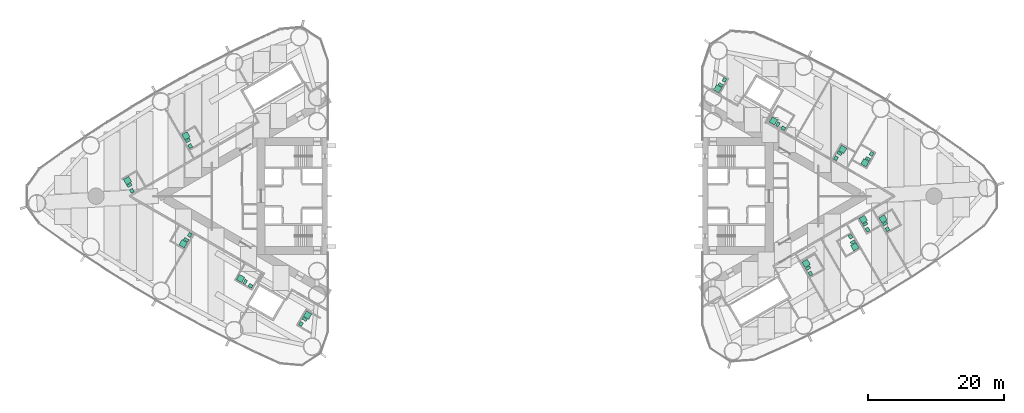
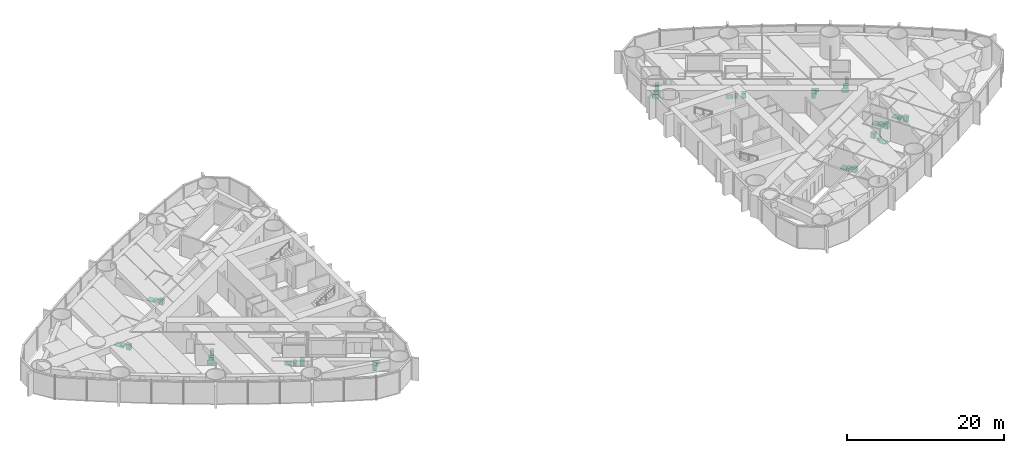
# One storey, part 19 of 19: 17 sanitary terminals.
"""IFC4 building model written with IfcOpenShell, lengths in metres."""

from ifc_helpers import new_model, si_unit, direction, frame, origin, origin_2d, place, context, subcontext, project, spatial, rectangle, extrude, material, type_object, element, save


model = new_model("IFC4")

# Units and contexts
model_context = context("Model", 3, precision=1e-05, world=origin(), true_north=direction((0.0, 1.0)))
body_context = subcontext(model_context, "Body", "Model", "MODEL_VIEW")
ifc_project = project(units=[si_unit("LENGTHUNIT", "METRE"), si_unit("AREAUNIT", "SQUARE_METRE"), si_unit("VOLUMEUNIT", "CUBIC_METRE"), si_unit("PLANEANGLEUNIT", "RADIAN"), si_unit("MASSUNIT", "GRAM", prefix="KILO")], contexts=[model_context])

# Site, building, storey
site_placement = place(None, origin())
site = spatial("IfcSite", under=ifc_project, at=site_placement, CompositionType="ELEMENT")
building_placement = place(site_placement, origin())
building = spatial("IfcBuilding", under=site, at=building_placement, Name="Lancet Gate Hotel", CompositionType="ELEMENT")
storey_placement = place(building_placement, frame((0.0, 0.0, 90.60009765625)))
storey = spatial("IfcBuildingStorey", under=building, at=storey_placement, Name="L23", CompositionType="ELEMENT", Elevation=90.60009765625)

# Sanitary terminals
ifc_material_1 = material(Name="Vitreous china sanitary ware")
sanitary_terminal_type_1 = type_object("IfcSanitaryTerminalType", Name="En-suite sanitary set (shower, WC, basin)", PredefinedType="USERDEFINED", material=ifc_material_1)
sanitary_terminal_1_placement = place(storey_placement, frame((-56.8798828125, 2.279541015625, 0.0), z_axis=(0.0, 0.0, 1.0), x_axis=(1.0, 0.0, 0.0)))
element("IfcSanitaryTerminal", 1, at=sanitary_terminal_1_placement, inside=storey, type_object=sanitary_terminal_type_1, Name="En-suite sanitary set (shower, WC, basin) 2303", ObjectType="EN-SUITE SANITARY SET", PredefinedType="USERDEFINED", context=body_context, shape_type="SweptSolid", body=[
    extrude(rectangle(XDim=0.89990234375, YDim=0.89990234375, at=origin_2d()), frame((0.0, 0.0, 0.0), z_axis=(0.0, 0.0, 1.0), x_axis=(-0.5, 0.866025403784, 0.0)), (0.0, 0.0, 1.0), 0.050048828125),
    extrude(rectangle(XDim=0.39990234375, YDim=0.699951171875, at=origin_2d()), frame((0.278564453125, -0.68212890625, 0.0), z_axis=(0.0, 0.0, 1.0), x_axis=(-0.5, 0.866025403784, 0.0)), (0.0, 0.0, 1.0), 0.39990234375),
    extrude(rectangle(XDim=0.60009765625, YDim=0.5, at=origin_2d()), frame((0.6318359375, -1.494140625, 0.0), z_axis=(0.0, 0.0, 1.0), x_axis=(-0.5, 0.866025403784, 0.0)), (0.0, 0.0, 1.0), 0.85009765625),
])
sanitary_terminal_2_placement = place(storey_placement, frame((-48.724853515625, -6.988037109375, 0.0), z_axis=(0.0, 0.0, 1.0), x_axis=(1.0, 0.0, 0.0)))
element("IfcSanitaryTerminal", 2, at=sanitary_terminal_2_placement, inside=storey, type_object=sanitary_terminal_type_1, Name="En-suite sanitary set (shower, WC, basin) 2305", ObjectType="EN-SUITE SANITARY SET", PredefinedType="USERDEFINED", context=body_context, shape_type="SweptSolid", body=[
    extrude(rectangle(XDim=0.89990234375, YDim=0.89990234375, at=origin_2d()), frame((0.0, 0.0, 0.0), z_axis=(0.0, 0.0, 1.0), x_axis=(-0.5, -0.866025403784, 0.0)), (0.0, 0.0, 1.0), 0.050048828125),
    extrude(rectangle(XDim=0.39990234375, YDim=0.699951171875, at=origin_2d()), frame((0.45166015625, 0.582275390625, 0.0), z_axis=(0.0, 0.0, 1.0), x_axis=(-0.5, -0.866025403784, 0.0)), (0.0, 0.0, 1.0), 0.39990234375),
    extrude(rectangle(XDim=0.60009765625, YDim=0.5, at=origin_2d()), frame((0.978271484375, 1.29443359375, 0.0), z_axis=(0.0, 0.0, 1.0), x_axis=(-0.5, -0.866025403784, 0.0)), (0.0, 0.0, 1.0), 0.85009765625),
])
sanitary_terminal_3_placement = place(storey_placement, frame((-48.3076171875, 8.845458984375, 0.0), z_axis=(0.0, 0.0, 1.0), x_axis=(1.0, 0.0, 0.0)))
element("IfcSanitaryTerminal", 3, at=sanitary_terminal_3_placement, inside=storey, type_object=sanitary_terminal_type_1, Name="En-suite sanitary set (shower, WC, basin) 2302", ObjectType="EN-SUITE SANITARY SET", PredefinedType="USERDEFINED", context=body_context, shape_type="SweptSolid", body=[
    extrude(rectangle(XDim=0.89990234375, YDim=0.89990234375, at=origin_2d()), frame((0.0, 0.0, 0.0), z_axis=(0.0, 0.0, 1.0), x_axis=(-0.5, 0.866025403784, 0.0)), (0.0, 0.0, 1.0), 0.050048828125),
    extrude(rectangle(XDim=0.39990234375, YDim=0.699951171875, at=origin_2d()), frame((0.2783203125, -0.682373046875, 0.0), z_axis=(0.0, 0.0, 1.0), x_axis=(-0.5, 0.866025403784, 0.0)), (0.0, 0.0, 1.0), 0.39990234375),
    extrude(rectangle(XDim=0.60009765625, YDim=0.5, at=origin_2d()), frame((0.6318359375, -1.494384765625, 0.0), z_axis=(0.0, 0.0, 1.0), x_axis=(-0.5, 0.866025403784, 0.0)), (0.0, 0.0, 1.0), 0.85009765625),
])
sanitary_terminal_4_placement = place(storey_placement, frame((-30.45166015625, -17.468505859375, 0.0), z_axis=(0.0, 0.0, 1.0), x_axis=(1.0, 0.0, 0.0)))
element("IfcSanitaryTerminal", 4, at=sanitary_terminal_4_placement, inside=storey, type_object=sanitary_terminal_type_1, Name="En-suite sanitary set (shower, WC, basin) 2308", ObjectType="EN-SUITE SANITARY SET", PredefinedType="USERDEFINED", context=body_context, shape_type="SweptSolid", body=[
    extrude(rectangle(XDim=0.89990234375, YDim=0.89990234375, at=origin_2d()), frame((0.0, 0.0, 0.0), z_axis=(0.0, 0.0, 1.0), x_axis=(0.5, 0.866025403784, 0.0)), (0.0, 0.0, 1.0), 0.050048828125),
    extrude(rectangle(XDim=0.39990234375, YDim=0.699951171875, at=origin_2d()), frame((-0.45166015625, -0.582275390625, 0.0), z_axis=(0.0, 0.0, 1.0), x_axis=(0.5, 0.866025403784, 0.0)), (0.0, 0.0, 1.0), 0.39990234375),
    extrude(rectangle(XDim=0.60009765625, YDim=0.5, at=origin_2d()), frame((-0.978271484375, -1.29443359375, 0.0), z_axis=(0.0, 0.0, 1.0), x_axis=(0.5, 0.866025403784, 0.0)), (0.0, 0.0, 1.0), 0.85009765625),
])
sanitary_terminal_5_placement = place(storey_placement, frame((42.7333984375, -9.877685546875, 0.0), z_axis=(0.0, 0.0, 1.0), x_axis=(1.0, 0.0, 0.0)))
element("IfcSanitaryTerminal", 5, at=sanitary_terminal_5_placement, inside=storey, type_object=sanitary_terminal_type_1, Name="En-suite sanitary set (shower, WC, basin) 2354", ObjectType="EN-SUITE SANITARY SET", PredefinedType="USERDEFINED", context=body_context, shape_type="SweptSolid", body=[
    extrude(rectangle(XDim=0.89990234375, YDim=0.89990234375, at=origin_2d()), frame((0.0, 0.0, 0.0), z_axis=(0.0, 0.0, 1.0), x_axis=(-0.5, 0.866025403784, 0.0)), (0.0, 0.0, 1.0), 0.050048828125),
    extrude(rectangle(XDim=0.39990234375, YDim=0.699951171875, at=origin_2d()), frame((0.2783203125, -0.682373046875, 0.0), z_axis=(0.0, 0.0, 1.0), x_axis=(-0.5, 0.866025403784, 0.0)), (0.0, 0.0, 1.0), 0.39990234375),
    extrude(rectangle(XDim=0.60009765625, YDim=0.5, at=origin_2d()), frame((0.6318359375, -1.494384765625, 0.0), z_axis=(0.0, 0.0, 1.0), x_axis=(-0.5, 0.866025403784, 0.0)), (0.0, 0.0, 1.0), 0.85009765625),
])
sanitary_terminal_6_placement = place(storey_placement, frame((49.875, -7.4404296875, 0.0), z_axis=(0.0, 0.0, 1.0), x_axis=(1.0, 0.0, 0.0)))
element("IfcSanitaryTerminal", 6, at=sanitary_terminal_6_placement, inside=storey, type_object=sanitary_terminal_type_1, Name="En-suite sanitary set (shower, WC, basin) 2355", ObjectType="EN-SUITE SANITARY SET", PredefinedType="USERDEFINED", context=body_context, shape_type="SweptSolid", body=[
    extrude(rectangle(XDim=0.89990234375, YDim=0.89990234375, at=origin_2d()), frame((0.0, 0.0, 0.0), z_axis=(0.0, 0.0, 1.0), x_axis=(0.5, -0.866025403784, 0.0)), (0.0, 0.0, 1.0), 0.050048828125),
    extrude(rectangle(XDim=0.39990234375, YDim=0.699951171875, at=origin_2d()), frame((-0.278564453125, 0.68212890625, 0.0), z_axis=(0.0, 0.0, 1.0), x_axis=(0.5, -0.866025403784, 0.0)), (0.0, 0.0, 1.0), 0.39990234375),
    extrude(rectangle(XDim=0.60009765625, YDim=0.5, at=origin_2d()), frame((-0.6318359375, 1.494140625, 0.0), z_axis=(0.0, 0.0, 1.0), x_axis=(0.5, -0.866025403784, 0.0)), (0.0, 0.0, 1.0), 0.85009765625),
])
sanitary_terminal_7_placement = place(storey_placement, frame((51.11669921875, -3.421142578125, 0.0), z_axis=(0.0, 0.0, 1.0), x_axis=(1.0, 0.0, 0.0)))
element("IfcSanitaryTerminal", 7, at=sanitary_terminal_7_placement, inside=storey, type_object=sanitary_terminal_type_1, Name="En-suite sanitary set (shower, WC, basin) 2356", ObjectType="EN-SUITE SANITARY SET", PredefinedType="USERDEFINED", context=body_context, shape_type="SweptSolid", body=[
    extrude(rectangle(XDim=0.89990234375, YDim=0.89990234375, at=origin_2d()), frame((0.0, 0.0, 0.0), z_axis=(0.0, 0.0, 1.0), x_axis=(-0.5, 0.866025403784, 0.0)), (0.0, 0.0, 1.0), 0.050048828125),
    extrude(rectangle(XDim=0.39990234375, YDim=0.699951171875, at=origin_2d()), frame((0.2783203125, -0.682373046875, 0.0), z_axis=(0.0, 0.0, 1.0), x_axis=(-0.5, 0.866025403784, 0.0)), (0.0, 0.0, 1.0), 0.39990234375),
    extrude(rectangle(XDim=0.60009765625, YDim=0.5, at=origin_2d()), frame((0.631591796875, -1.494384765625, 0.0), z_axis=(0.0, 0.0, 1.0), x_axis=(-0.5, 0.866025403784, 0.0)), (0.0, 0.0, 1.0), 0.85009765625),
])
sanitary_terminal_8_placement = place(storey_placement, frame((54.02490234375, -3.358642578125, 0.0), z_axis=(0.0, 0.0, 1.0), x_axis=(1.0, 0.0, 0.0)))
element("IfcSanitaryTerminal", 8, at=sanitary_terminal_8_placement, inside=storey, type_object=sanitary_terminal_type_1, Name="En-suite sanitary set (shower, WC, basin) 2357", ObjectType="EN-SUITE SANITARY SET", PredefinedType="USERDEFINED", context=body_context, shape_type="SweptSolid", body=[
    extrude(rectangle(XDim=0.89990234375, YDim=0.89990234375, at=origin_2d()), frame((0.0, 0.0, 0.0), z_axis=(0.0, 0.0, 1.0), x_axis=(-0.5, 0.866025403784, 0.0)), (0.0, 0.0, 1.0), 0.050048828125),
    extrude(rectangle(XDim=0.39990234375, YDim=0.699951171875, at=origin_2d()), frame((0.278564453125, -0.68212890625, 0.0), z_axis=(0.0, 0.0, 1.0), x_axis=(-0.5, 0.866025403784, 0.0)), (0.0, 0.0, 1.0), 0.39990234375),
    extrude(rectangle(XDim=0.60009765625, YDim=0.5, at=origin_2d()), frame((0.6318359375, -1.494140625, 0.0), z_axis=(0.0, 0.0, 1.0), x_axis=(-0.5, 0.866025403784, 0.0)), (0.0, 0.0, 1.0), 0.85009765625),
])
sanitary_terminal_9_placement = place(storey_placement, frame((51.353271484375, 4.901123046875, 0.0), z_axis=(0.0, 0.0, 1.0), x_axis=(1.0, 0.0, 0.0)))
element("IfcSanitaryTerminal", 9, at=sanitary_terminal_9_placement, inside=storey, type_object=sanitary_terminal_type_1, Name="En-suite sanitary set (shower, WC, basin) 2358", ObjectType="EN-SUITE SANITARY SET", PredefinedType="USERDEFINED", context=body_context, shape_type="SweptSolid", body=[
    extrude(rectangle(XDim=0.89990234375, YDim=0.89990234375, at=origin_2d()), frame((0.0, 0.0, 0.0), z_axis=(0.0, 0.0, 1.0), x_axis=(-0.5, -0.866025403784, 0.0)), (0.0, 0.0, 1.0), 0.050048828125),
    extrude(rectangle(XDim=0.39990234375, YDim=0.699951171875, at=origin_2d()), frame((0.45166015625, 0.582275390625, 0.0), z_axis=(0.0, 0.0, 1.0), x_axis=(-0.5, -0.866025403784, 0.0)), (0.0, 0.0, 1.0), 0.39990234375),
    extrude(rectangle(XDim=0.60009765625, YDim=0.5, at=origin_2d()), frame((0.978271484375, 1.294189453125, 0.0), z_axis=(0.0, 0.0, 1.0), x_axis=(-0.5, -0.866025403784, 0.0)), (0.0, 0.0, 1.0), 0.85009765625),
])
sanitary_terminal_10_placement = place(storey_placement, frame((48.083740234375, 6.858154296875, 0.0), z_axis=(0.0, 0.0, 1.0), x_axis=(1.0, 0.0, 0.0)))
element("IfcSanitaryTerminal", 10, at=sanitary_terminal_10_placement, inside=storey, type_object=sanitary_terminal_type_1, Name="En-suite sanitary set (shower, WC, basin) 2360", ObjectType="EN-SUITE SANITARY SET", PredefinedType="USERDEFINED", context=body_context, shape_type="SweptSolid", body=[
    extrude(rectangle(XDim=0.89990234375, YDim=0.89990234375, at=origin_2d()), frame((0.0, 0.0, 0.0), z_axis=(0.0, 0.0, 1.0), x_axis=(0.5, 0.866025403784, 0.0)), (0.0, 0.0, 1.0), 0.050048828125),
    extrude(rectangle(XDim=0.39990234375, YDim=0.699951171875, at=origin_2d()), frame((-0.45166015625, -0.582275390625, 0.0), z_axis=(0.0, 0.0, 1.0), x_axis=(0.5, 0.866025403784, 0.0)), (0.0, 0.0, 1.0), 0.39990234375),
    extrude(rectangle(XDim=0.60009765625, YDim=0.5, at=origin_2d()), frame((-0.978271484375, -1.29443359375, 0.0), z_axis=(0.0, 0.0, 1.0), x_axis=(0.5, 0.866025403784, 0.0)), (0.0, 0.0, 1.0), 0.85009765625),
])
sanitary_terminal_11_placement = place(storey_placement, frame((29.751708984375, 15.756103515625, 0.0), z_axis=(0.0, 0.0, 1.0), x_axis=(1.0, 0.0, 0.0)))
element("IfcSanitaryTerminal", 11, at=sanitary_terminal_11_placement, inside=storey, type_object=sanitary_terminal_type_1, Name="En-suite sanitary set (shower, WC, basin) 2364", ObjectType="EN-SUITE SANITARY SET", PredefinedType="USERDEFINED", context=body_context, shape_type="SweptSolid", body=[
    extrude(rectangle(XDim=0.89990234375, YDim=0.89990234375, at=origin_2d()), frame((0.0, 0.0, 0.0), z_axis=(0.0, 0.0, 1.0), x_axis=(-0.5, -0.866025403784, 0.0)), (0.0, 0.0, 1.0), 0.050048828125),
    extrude(rectangle(XDim=0.39990234375, YDim=0.699951171875, at=origin_2d()), frame((0.45166015625, 0.582275390625, 0.0), z_axis=(0.0, 0.0, 1.0), x_axis=(-0.5, -0.866025403784, 0.0)), (0.0, 0.0, 1.0), 0.39990234375),
    extrude(rectangle(XDim=0.60009765625, YDim=0.5, at=origin_2d()), frame((0.978271484375, 1.29443359375, 0.0), z_axis=(0.0, 0.0, 1.0), x_axis=(-0.5, -0.866025403784, 0.0)), (0.0, 0.0, 1.0), 0.85009765625),
])
ifc_material_2 = material(Name="Stone resin shower tray", Category="masonry")
sanitary_terminal_type_2 = type_object("IfcSanitaryTerminalType", Name="Shower tray 900", PredefinedType="SHOWER", material=ifc_material_2)
for number, where, z_axis, x_axis, name in (
    (12, (-40.2763671875, -12.0966796875, 0.0), (0.0, 0.0, 1.0), (-0.866025403784, 0.5, 0.0), "Shower tray 900 2307"),
    (13, (37.922607421875, 11.038818359375, 0.0), (0.0, 0.0, 1.0), (-0.866025403784, 0.5, 0.0), "Shower tray 900 2362"),
):
    element("IfcSanitaryTerminal", number, at=place(storey_placement, frame(where, z_axis=z_axis, x_axis=x_axis)), inside=storey, type_object=sanitary_terminal_type_2, Name=name, PredefinedType="SHOWER", context=body_context, shape_type="SweptSolid", body=[
        extrude(rectangle(XDim=0.89990234375, YDim=0.89990234375, at=origin_2d()), origin(), (0.0, 0.0, 1.0), 0.050048828125),
    ])
ifc_material_3 = material(Name="Vitreous china sanitary ware")
sanitary_terminal_type_3 = type_object("IfcSanitaryTerminalType", Name="Vanity basin 600", PredefinedType="WASHHANDBASIN", material=ifc_material_3)
for number, where, z_axis, x_axis, name in (
    (14, (-38.808837890625, -13.1748046875, -0.000244140625), (0.0, 0.0, 1.0), (-0.866025403784, 0.5, 0.0), "Vanity basin 600 2307"),
    (15, (39.389892578125, 9.960693359375, -0.000244140625), (0.0, 0.0, 1.0), (-0.866025403784, 0.5, 0.0), "Vanity basin 600 2362"),
):
    element("IfcSanitaryTerminal", number, at=place(storey_placement, frame(where, z_axis=z_axis, x_axis=x_axis)), inside=storey, type_object=sanitary_terminal_type_3, Name=name, PredefinedType="WASHHANDBASIN", context=body_context, shape_type="SweptSolid", body=[
        extrude(rectangle(XDim=0.60009765625, YDim=0.5, at=origin_2d()), origin(), (0.0, 0.0, 1.0), 0.85009765625),
    ])
ifc_material_4 = material(Name="Vitreous china sanitary ware")
sanitary_terminal_type_4 = type_object("IfcSanitaryTerminalType", Name="WC pan wall hung", PredefinedType="TOILETPAN", material=ifc_material_4)
for number, where, z_axis, x_axis, name in (
    (16, (-39.607421875, -12.59814453125, 0.0), (0.0, 0.0, 1.0), (-0.866025403784, 0.5, 0.0), "WC pan wall hung 2307"),
    (17, (38.59130859375, 10.537109375, 0.0), (0.0, 0.0, 1.0), (-0.866025403784, 0.5, 0.0), "WC pan wall hung 2362"),
):
    element("IfcSanitaryTerminal", number, at=place(storey_placement, frame(where, z_axis=z_axis, x_axis=x_axis)), inside=storey, type_object=sanitary_terminal_type_4, Name=name, PredefinedType="TOILETPAN", context=body_context, shape_type="SweptSolid", body=[
        extrude(rectangle(XDim=0.39990234375, YDim=0.699951171875, at=origin_2d()), origin(), (0.0, 0.0, 1.0), 0.39990234375),
    ])

save(model, "model.ifc")
